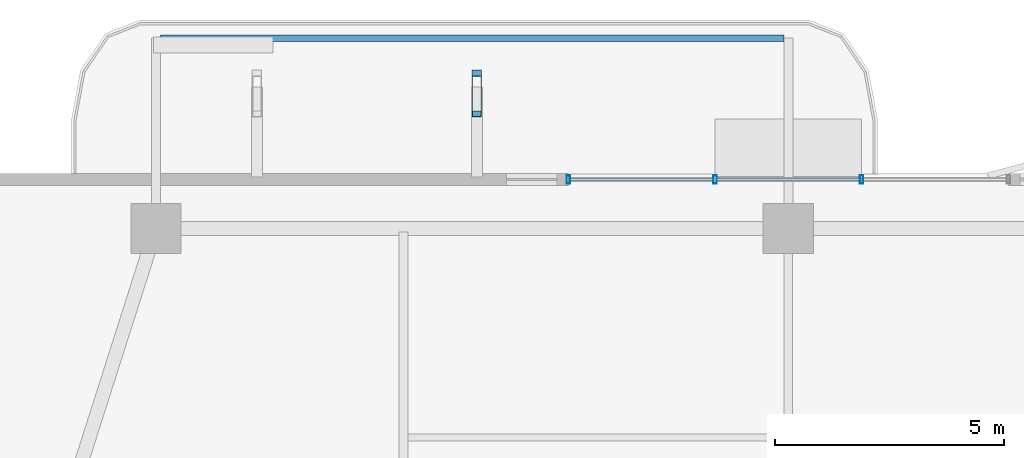
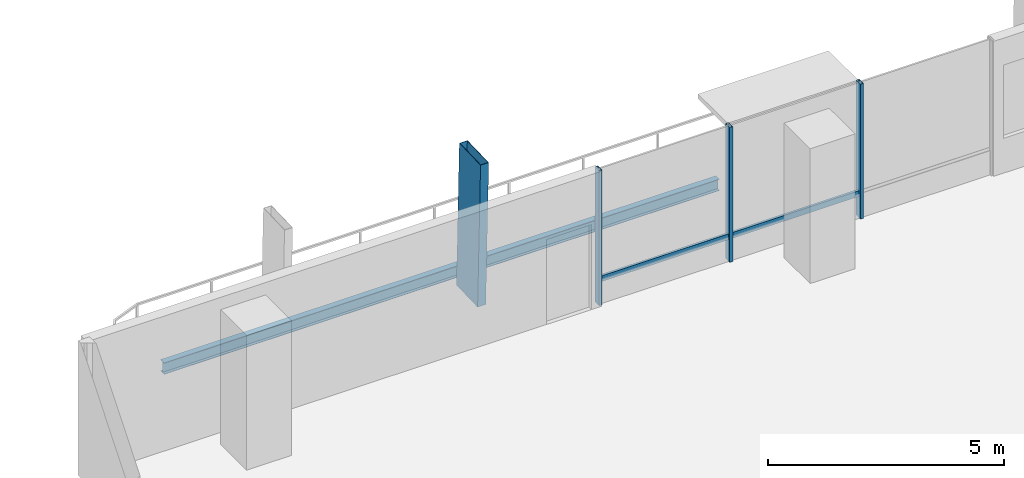
# One storey, part 13 of 25: 6 members, 1 beam, 1 element without a shape of its own.
"""IFC4 building model written with IfcOpenShell, lengths in metres."""

from ifc_helpers import new_model, si_unit, direction, frame, origin, origin_2d, place, context, subcontext, project, spatial, hollow_rectangle, i_section, extrude, material, layer, layer_set, material_profile, profile_set, type_object, element, aggregate, save


model = new_model("IFC4")

# Units and contexts
model_context = context("Model", 3, precision=1e-05, world=origin(), true_north=direction((0.0, 1.0)))
body_context = subcontext(model_context, "Body", "Model", "MODEL_VIEW")
ifc_project = project(units=[si_unit("LENGTHUNIT", "METRE"), si_unit("AREAUNIT", "SQUARE_METRE"), si_unit("VOLUMEUNIT", "CUBIC_METRE"), si_unit("PLANEANGLEUNIT", "RADIAN"), si_unit("MASSUNIT", "GRAM", prefix="KILO")], contexts=[model_context])

# Site, building, storey
site_placement = place(None, origin())
site = spatial("IfcSite", under=ifc_project, at=site_placement, CompositionType="ELEMENT")
building_placement = place(site_placement, origin())
building = spatial("IfcBuilding", under=site, at=building_placement, Name="Belovzor Exchange Tower", CompositionType="ELEMENT")
storey_placement = place(building_placement, frame((0.0, 0.0, 142.050048828125)))
storey = spatial("IfcBuildingStorey", under=building, at=storey_placement, Name="L34", CompositionType="ELEMENT", Elevation=142.050048828125)

# Beam
ifc_material_1 = material(Name="Steel S355", Category="steel")
ifc_material_profile_1 = material_profile(ifc_material_1, i_section(OverallWidth=0.14990234375, OverallDepth=0.300048828125, WebThickness=0.007080078125, FlangeThickness=0.0107421875, at=origin_2d()))
ifc_profile_set_1 = profile_set([ifc_material_profile_1], Name="Steel S355")
beam_type = type_object("IfcBeamType", Name="Planted Balcony Fascia Edge Beam IPE 300", PredefinedType="BEAM", material=ifc_profile_set_1)
beam_placement = place(storey_placement, frame((28.699951171875, 56.052978515625, -0.405029296875), z_axis=(-1.0, 0.0, 0.0), x_axis=(0.0, -1.0, 0.0)))
element("IfcBeam", 1, at=beam_placement, inside=storey, type_object=beam_type, Name="BC-300 Planted Balcony Fascia Edge Beam IPE 300", PredefinedType="BEAM", context=body_context, shape_type="SweptSolid", body=[
    extrude(i_section(OverallWidth=0.14990234375, OverallDepth=0.300048828125, WebThickness=0.007080078125, FlangeThickness=0.0107421875, at=origin_2d()), origin(), (0.0, 0.0, 1.0), 13.599853515625),
])

# Member
ifc_material_2 = material(Name="Extruded Architectural Terracotta on Steel S355 Carrier", Category="masonry")
ifc_material_profile_2 = material_profile(ifc_material_2, hollow_rectangle(XDim=0.199951171875, YDim=0.89990234375, WallThickness=0.011962890625, at=origin_2d()))
ifc_profile_set_2 = profile_set([ifc_material_profile_2], Name="Extruded Architectural Terracotta on Steel S355 Carrier")
member_type_1 = type_object("IfcMemberType", Name="Sweeping Terracotta Baguette Fin Assembly 1250", PredefinedType="USERDEFINED", material=ifc_profile_set_2)
member_1_placement = place(storey_placement, frame((22.0, 54.906982421875, -0.255126953125), z_axis=(0.0, -0.033054843619, 0.999453539347), x_axis=(1.0, 0.0, 0.0)))
element("IfcMember", 2, at=member_1_placement, inside=storey, type_object=member_type_1, Name="FIN-TC125 Terracotta Facade Fin L34 N2", ObjectType="FIN", PredefinedType="USERDEFINED", context=body_context, shape_type="SweptSolid", body=[
    extrude(hollow_rectangle(XDim=0.199951171875, YDim=0.89990234375, WallThickness=0.011962890625, at=origin_2d()), origin(), (0.0, 0.0, 1.0), 3.751953125),
])

# Curtain wall, members
ifc_material_3 = material(Name="Anodised Aluminium Framing", Category="aluminium")
ifc_layer = layer(ifc_material_3, 0.179931640625)
ifc_layer_set = layer_set([ifc_layer], Name="Anodised Aluminium Framing")
curtain_wall_type = type_object("IfcCurtainWallType", Name="Recessed Loggia Low-Iron Triple-Glazed Curtain Wall", PredefinedType="NOTDEFINED", material=ifc_layer_set)
curtain_wall_placement = place(storey_placement, origin())
curtain_wall = element("IfcCurtainWall", 3, at=curtain_wall_placement, inside=storey, type_object=curtain_wall_type, Name="CW3 Recessed Loggia Low-Iron Triple-Glazed Curtain Wall L34", PredefinedType="NOTDEFINED")
ifc_material_4 = material(Name="Steel S355", Category="steel")
ifc_material_profile_3 = material_profile(ifc_material_4, hollow_rectangle(XDim=0.074951171875, YDim=0.179931640625, WallThickness=0.0048828125, at=origin_2d()))
ifc_profile_set_3 = profile_set([ifc_material_profile_3], Name="Steel S355")
member_type_2 = type_object("IfcMemberType", Name="Thermally Broken Curtain Wall Mullion 180x75", PredefinedType="MULLION", material=ifc_profile_set_3)
member_2_placement = place(storey_placement, frame((24.0, 52.969970703125, 0.0), z_axis=(0.0, 0.0, 1.0), x_axis=(1.0, 0.0, 0.0)))
member_2 = element("IfcMember", 4, at=member_2_placement, type_object=member_type_2, Name="CW-M180 Curtain Wall Mullion 1", PredefinedType="MULLION", context=body_context, shape_type="SweptSolid", body=[
    extrude(hollow_rectangle(XDim=0.074951171875, YDim=0.179931640625, WallThickness=0.0048828125, at=origin_2d()), origin(), (0.0, 0.0, 1.0), 3.494873046875),
])
member_3_placement = place(storey_placement, frame((27.199951171875, 52.969970703125, 0.0), z_axis=(0.0, 0.0, 1.0), x_axis=(1.0, 0.0, 0.0)))
member_3 = element("IfcMember", 5, at=member_3_placement, type_object=member_type_2, Name="CW-M180 Curtain Wall Mullion 2", PredefinedType="MULLION", context=body_context, shape_type="SweptSolid", body=[
    extrude(hollow_rectangle(XDim=0.074951171875, YDim=0.179931640625, WallThickness=0.0048828125, at=origin_2d()), origin(), (0.0, 0.0, 1.0), 3.494873046875),
])
member_4_placement = place(storey_placement, frame((30.39990234375, 52.969970703125, 0.0), z_axis=(0.0, 0.0, 1.0), x_axis=(1.0, 0.0, 0.0)))
member_4 = element("IfcMember", 6, at=member_4_placement, type_object=member_type_2, Name="CW-M180 Curtain Wall Mullion 3", PredefinedType="MULLION", context=body_context, shape_type="SweptSolid", body=[
    extrude(hollow_rectangle(XDim=0.074951171875, YDim=0.179931640625, WallThickness=0.0048828125, at=origin_2d()), origin(), (0.0, 0.0, 1.0), 3.494873046875),
])
ifc_material_5 = material(Name="Steel S355", Category="steel")
ifc_material_profile_4 = material_profile(ifc_material_5, hollow_rectangle(XDim=0.06005859375, YDim=0.14990234375, WallThickness=0.00390625, at=origin_2d()))
ifc_profile_set_4 = profile_set([ifc_material_profile_4], Name="Steel S355")
member_type_3 = type_object("IfcMemberType", Name="Thermally Broken Curtain Wall Transom 150x60", PredefinedType="USERDEFINED", material=ifc_profile_set_4)
member_5_placement = place(storey_placement, frame((24.008056640625, 52.969970703125, 0.62890625), z_axis=(1.0, 0.0, 0.0), x_axis=(0.0, 1.0, 0.0)))
member_5 = element("IfcMember", 7, at=member_5_placement, type_object=member_type_3, Name="CW-T150 Curtain Wall Transom 1", ObjectType="TRANSOM", PredefinedType="USERDEFINED", context=body_context, shape_type="SweptSolid", body=[
    extrude(hollow_rectangle(XDim=0.06005859375, YDim=0.14990234375, WallThickness=0.00390625, at=origin_2d()), origin(), (0.0, 0.0, 1.0), 3.183837890625),
])
member_6_placement = place(storey_placement, frame((27.2080078125, 52.969970703125, 0.62890625), z_axis=(1.0, 0.0, 0.0), x_axis=(0.0, 1.0, 0.0)))
member_6 = element("IfcMember", 8, at=member_6_placement, type_object=member_type_3, Name="CW-T150 Curtain Wall Transom 2", ObjectType="TRANSOM", PredefinedType="USERDEFINED", context=body_context, shape_type="SweptSolid", body=[
    extrude(hollow_rectangle(XDim=0.06005859375, YDim=0.14990234375, WallThickness=0.00390625, at=origin_2d()), origin(), (0.0, 0.0, 1.0), 3.18408203125),
])
aggregate(curtain_wall, [member_2, member_3, member_4, member_5, member_6])

save(model, "model.ifc")
